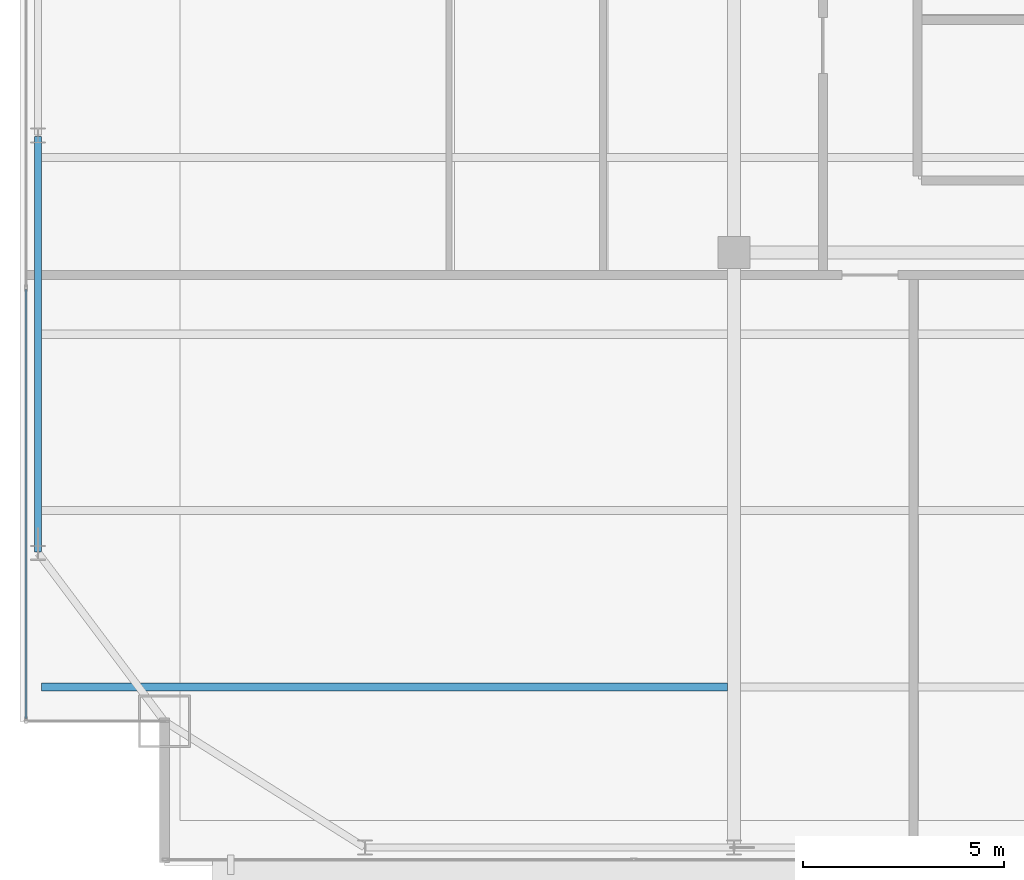
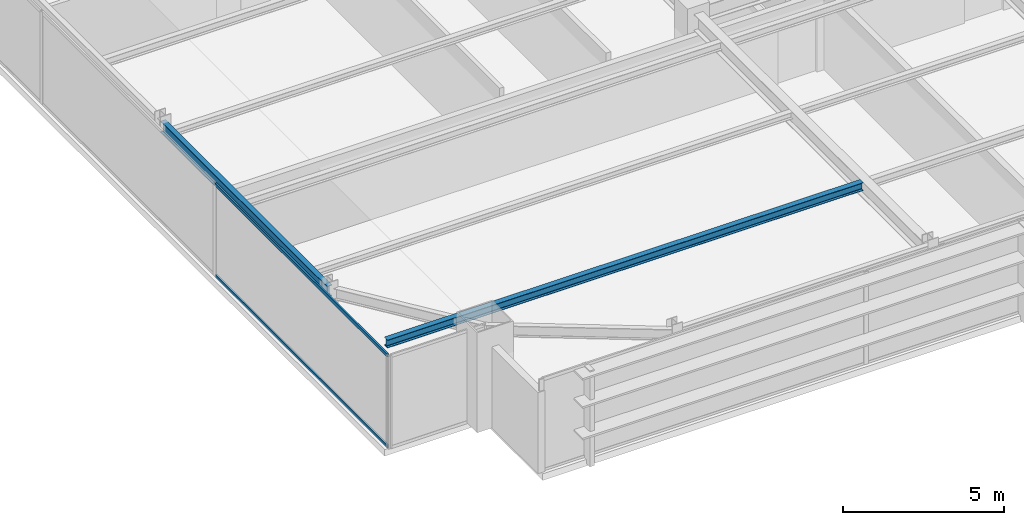
# One storey, part 6 of 29: 2 beams, 2 members, 1 element without a shape of its own.
"""IFC4 building model written with IfcOpenShell, lengths in metres."""

import ifcopenshell
import ifcopenshell.guid

model = None  # the IFC model being written
_history = None  # IfcOwnerHistory: only IFC2X3 demands one
_inside = {}  # id of a spatial element -> (the spatial element, [elements in it])
_under = {}  # id of a project, library or spatial element -> (it, [spatial elements below it])
_declared = {}  # id of a project -> (the project, [libraries it declares])
_typed = {}  # id of a type object -> (the type object, [elements of that type])
_made_of = {}  # id of a material, layer set ... -> (it, [elements and type objects made of it])


def new_model(schema):
    """Start an empty IFC model of exactly this schema.

    Asked for "IFC4X3", IfcOpenShell would pick the latest addendum, in which some entities
    have other attributes; the version numbers below select the first issue.
    IFC2X3 requires an IfcOwnerHistory on every rooted entity: one is made here for all.
    """
    global model, _history
    if schema == "IFC4X3":
        model = ifcopenshell.file(schema_version=(4, 3, 0, 0))
    else:
        model = ifcopenshell.file(schema=schema)
    _inside.clear()
    _under.clear()
    _declared.clear()
    _typed.clear()
    _made_of.clear()
    _history = None
    if model.schema == "IFC2X3":
        org = make("IfcOrganization", Name="unknown")
        user = make(
            "IfcPersonAndOrganization",
            ThePerson=make("IfcPerson", FamilyName="unknown"),
            TheOrganization=org,
        )
        app = make(
            "IfcApplication",
            ApplicationDeveloper=org,
            Version="unknown",
            ApplicationFullName="unknown",
            ApplicationIdentifier="unknown",
        )
        _history = make(
            "IfcOwnerHistory",
            OwningUser=user,
            OwningApplication=app,
            ChangeAction="ADDED",
            CreationDate=0,
        )
    return model


def make(cls, **values):
    """One entity of the class cls with the attributes given. An attribute that is None is left unset."""
    return model.create_entity(
        cls, **{name: value for name, value in values.items() if value is not None}
    )


def rooted(cls, **values):
    """An entity with a GlobalId (a new one), such as an element, a storey or a relation."""
    return make(cls, GlobalId=ifcopenshell.guid.new(), OwnerHistory=_history, **values)


def si_unit(unit_type, name, prefix=None):
    """IfcSIUnit, for example si_unit("LENGTHUNIT", "METRE", prefix="MILLI")."""
    return make("IfcSIUnit", UnitType=unit_type, Prefix=prefix, Name=name)


def assignment(units):
    """IfcUnitAssignment: the units of a project."""
    return None if units is None else make("IfcUnitAssignment", Units=units)


def point(xyz):
    """IfcCartesianPoint."""
    return None if xyz is None else make("IfcCartesianPoint", Coordinates=xyz)


def direction(xyz):
    """IfcDirection."""
    return None if xyz is None else make("IfcDirection", DirectionRatios=xyz)


def frame(location, z_axis=None, x_axis=None):
    """IfcAxis2Placement3D, a coordinate frame: its origin and axes. An axis left out is left unset."""
    return make(
        "IfcAxis2Placement3D",
        Location=point(location),
        Axis=direction(z_axis),
        RefDirection=direction(x_axis),
    )


def frame_2d(location, x_axis=None):
    """IfcAxis2Placement2D, a coordinate frame in the plane: its origin and x axis."""
    return make(
        "IfcAxis2Placement2D", Location=point(location), RefDirection=direction(x_axis)
    )


def origin():
    """The frame at (0, 0, 0) with its axes left unset."""
    return frame((0.0, 0.0, 0.0))


def origin_2d():
    """The frame at (0, 0) in the plane with its x axis left unset."""
    return frame_2d((0.0, 0.0))


def place(relative_to, where):
    """IfcLocalPlacement: puts the frame where relative to a parent placement (None: the world)."""
    return make(
        "IfcLocalPlacement", PlacementRelTo=relative_to, RelativePlacement=where
    )


def context(
    kind, dimensions, precision=None, world=None, true_north=None, identifier=None
):
    """IfcGeometricRepresentationContext, for example the 3D "Model" context."""
    return make(
        "IfcGeometricRepresentationContext",
        ContextIdentifier=identifier,
        ContextType=kind,
        CoordinateSpaceDimension=dimensions,
        Precision=precision,
        WorldCoordinateSystem=world,
        TrueNorth=true_north,
    )


def subcontext(parent, identifier, kind, view, scale=None):
    """IfcGeometricRepresentationSubContext, for example "Body" below "Model"."""
    return make(
        "IfcGeometricRepresentationSubContext",
        ContextIdentifier=identifier,
        ContextType=kind,
        ParentContext=parent,
        TargetScale=scale,
        TargetView=view,
    )


def project(units=None, contexts=None):
    """IfcProject with its units and contexts."""
    return rooted(
        "IfcProject",
        Name="project",
        RepresentationContexts=contexts,
        UnitsInContext=assignment(units),
    )


def spatial(cls, under=None, at=None, **own):
    """A site, building, storey or space (cls), placed at a placement, below another one or the project."""
    s = rooted(cls, ObjectPlacement=at, **own)
    if under is not None:
        _under.setdefault(under.id(), (under, []))[1].append(s)
    return s


def profile(cls, at=None, kind="AREA", **sizes):
    """A parametric profile (cls). Its sizes go by their IFC names, for example OverallWidth=200.0."""
    return make(cls, ProfileType=kind, Position=at, **sizes)


def hollow_rectangle(**sizes):
    """IfcRectangleHollowProfileDef."""
    return profile("IfcRectangleHollowProfileDef", **sizes)


def i_section(**sizes):
    """IfcIShapeProfileDef."""
    return profile("IfcIShapeProfileDef", **sizes)


def extrude(swept, where, along, depth):
    """IfcExtrudedAreaSolid: the profile swept, set in the frame where, extruded along a direction by depth."""
    return make(
        "IfcExtrudedAreaSolid",
        SweptArea=swept,
        Position=where,
        ExtrudedDirection=direction(along),
        Depth=depth,
    )


def shape(context_of_items, identifier, shape_type, items):
    """IfcShapeRepresentation: the items that make up one representation, for example the "Body"."""
    return make(
        "IfcShapeRepresentation",
        ContextOfItems=context_of_items,
        RepresentationIdentifier=identifier,
        RepresentationType=shape_type,
        Items=items,
    )


def source(mapping_origin, context_of_items, identifier, shape_type, items):
    """IfcRepresentationMap: a shape defined once, which mapped items show again and again."""
    return make(
        "IfcRepresentationMap",
        MappingOrigin=mapping_origin,
        MappedRepresentation=shape(context_of_items, identifier, shape_type, items),
    )


def transform(
    local_origin,
    x_axis=None,
    y_axis=None,
    z_axis=None,
    scale=None,
    scale2=None,
    scale3=None,
    uniform=True,
):
    """IfcCartesianTransformationOperator3D, or its non-uniform kind. x_axis, y_axis, z_axis: its Axis1, 2, 3."""
    if uniform:
        return make(
            "IfcCartesianTransformationOperator3D",
            Axis1=direction(x_axis),
            Axis2=direction(y_axis),
            LocalOrigin=point(local_origin),
            Scale=scale,
            Axis3=direction(z_axis),
        )
    return make(
        "IfcCartesianTransformationOperator3DnonUniform",
        Axis1=direction(x_axis),
        Axis2=direction(y_axis),
        LocalOrigin=point(local_origin),
        Scale=scale,
        Axis3=direction(z_axis),
        Scale2=scale2,
        Scale3=scale3,
    )


def mapped(mapping_source, mapping_target):
    """IfcMappedItem: shows the shape of a source again, moved by a transform."""
    return make(
        "IfcMappedItem", MappingSource=mapping_source, MappingTarget=mapping_target
    )


def material(Name=None, Category=None):
    """IfcMaterial."""
    return make("IfcMaterial", Name=Name, Category=Category)


def layer(
    of_material, thickness, ventilated=None, Name=None, Category=None, Priority=None
):
    """IfcMaterialLayer: one layer of a wall or slab, of a material (None: an air gap)."""
    return make(
        "IfcMaterialLayer",
        Material=of_material,
        LayerThickness=thickness,
        IsVentilated=ventilated,
        Name=Name,
        Category=Category,
        Priority=Priority,
    )


def layer_set(layers, Name=None):
    """IfcMaterialLayerSet."""
    return make("IfcMaterialLayerSet", MaterialLayers=layers, LayerSetName=Name)


def material_profile(
    of_material, cross_section, Name=None, Category=None, Priority=None
):
    """IfcMaterialProfile: a cross section and its material."""
    return make(
        "IfcMaterialProfile",
        Name=Name,
        Material=of_material,
        Profile=cross_section,
        Priority=Priority,
        Category=Category,
    )


def profile_set(profiles, Name=None, composite=None):
    """IfcMaterialProfileSet."""
    return make(
        "IfcMaterialProfileSet",
        Name=Name,
        MaterialProfiles=profiles,
        CompositeProfile=composite,
    )


def made_of(thing, what):
    """Note that an element or type object is made of a material, layer set ...; save() writes the relation."""
    if what is not None:
        _made_of.setdefault(what.id(), (what, []))[1].append(thing)
    return thing


def type_object(cls, material=None, **own):
    """A type object (cls), such as IfcWallType, which elements share."""
    return made_of(rooted(cls, **own), material)


def type_shapes(of_type, sources):
    """Give a type object the sources (RepresentationMaps) that its elements show as mapped items."""
    of_type.RepresentationMaps = sources


def element(
    cls,
    number,
    at=None,
    inside=None,
    cuts=None,
    type_object=None,
    material=None,
    context=None,
    identifier="Body",
    shape_type=None,
    held_by="IfcProductDefinitionShape",
    body=None,
    shapes=None,
    **own,
):
    """One element of the class cls, such as IfcWall. Its Tag is "e" and its number.

    at: its placement. inside: the storey or other place that contains it. cuts: it is an
    opening in that element (IfcRelVoidsElement). A single representation is given by context,
    identifier, shape_type and body (its items); several are given by shapes. held_by: the class
    of the entity that holds the representations. save() writes the other relations.
    """
    e = rooted(cls, Tag="e%d" % number, ObjectPlacement=at, **own)
    if body is not None:
        shapes = [shape(context, identifier, shape_type, body)]
    if shapes is not None:
        e.Representation = make(held_by, Representations=shapes)
    if inside is not None:
        _inside.setdefault(inside.id(), (inside, []))[1].append(e)
    if cuts is not None:
        rooted(
            "IfcRelVoidsElement", RelatingBuildingElement=cuts, RelatedOpeningElement=e
        )
    if type_object is not None:
        _typed.setdefault(type_object.id(), (type_object, []))[1].append(e)
    return made_of(e, material)


def aggregate(whole, parts):
    """IfcRelAggregates: a whole, such as a stair, and the parts it consists of."""
    return rooted("IfcRelAggregates", RelatingObject=whole, RelatedObjects=parts)


def save(model, path):
    """Write the relations noted so far, then the file.

    IfcRelAggregates (storeys below a building ...), IfcRelContainedInSpatialStructure (elements
    in a storey), IfcRelDefinesByType, IfcRelAssociatesMaterial and IfcRelDeclares: one each for
    every whole, place, type object, material and project.
    """
    for whole, parts in _under.values():
        aggregate(whole, parts)
    for where, things in _inside.values():
        rooted(
            "IfcRelContainedInSpatialStructure",
            RelatedElements=things,
            RelatingStructure=where,
        )
    for kind, things in _typed.values():
        rooted("IfcRelDefinesByType", RelatedObjects=things, RelatingType=kind)
    for what, things in _made_of.values():
        rooted("IfcRelAssociatesMaterial", RelatedObjects=things, RelatingMaterial=what)
    for by, libraries in _declared.values():
        rooted("IfcRelDeclares", RelatingContext=by, RelatedDefinitions=libraries)
    model.write(path)


model = new_model("IFC4")

# Units and contexts
model_context = context("Model", 3, precision=1e-05, world=origin(), true_north=direction((0.0, 1.0)))
body_context = subcontext(model_context, "Body", "Model", "MODEL_VIEW")
ifc_project = project(units=[si_unit("LENGTHUNIT", "METRE"), si_unit("AREAUNIT", "SQUARE_METRE"), si_unit("VOLUMEUNIT", "CUBIC_METRE"), si_unit("PLANEANGLEUNIT", "RADIAN"), si_unit("MASSUNIT", "GRAM", prefix="KILO")], contexts=[model_context])

# Site, building, storey
site_placement = place(None, origin())
site = spatial("IfcSite", under=ifc_project, at=site_placement, CompositionType="ELEMENT")
building_placement = place(site_placement, origin())
building = spatial("IfcBuilding", under=site, at=building_placement, Name="Varnel Quay Broadcast Tower", CompositionType="ELEMENT")
storey_placement = place(building_placement, frame((0.0, 0.0, 187.60009765625)))
storey = spatial("IfcBuildingStorey", under=building, at=storey_placement, Name="L46", CompositionType="ELEMENT", Elevation=187.60009765625)

# Beams
ifc_material_1 = material(Name="Structural Steel CSA G40.21 350W", Category="steel")
ifc_material_profile_1 = material_profile(ifc_material_1, i_section(OverallWidth=0.180908203125, OverallDepth=0.4169921875, WebThickness=0.010986328125, FlangeThickness=0.018310546875, FilletRadius=0.011962890625, at=origin_2d()), Name="W410X85")
ifc_profile_set_1 = profile_set([ifc_material_profile_1], Name="Structural Steel CSA G40.21 350W")
beam_type_1 = type_object("IfcBeamType", Name="Beam_W410X85", PredefinedType="SPANDREL", material=ifc_profile_set_1)
shared_shape_1 = source(origin(), body_context, "Body", "SweptSolid", [
    extrude(i_section(OverallWidth=0.180908203125, OverallDepth=0.4169921875, WebThickness=0.010986328125, FlangeThickness=0.018310546875, FilletRadius=0.011962890625, at=origin_2d()), origin(), (0.0, 0.0, 1.0), 10.35986328125),
])
type_shapes(beam_type_1, [shared_shape_1])
beam_1_placement = place(storey_placement, frame((7.449951171875, 15.02001953125, 3.3115234375), z_axis=(0.0, 1.0, 0.0), x_axis=(-1.0, 0.0, 0.0)))
element("IfcBeam", 1, at=beam_1_placement, inside=storey, type_object=beam_type_1, Name="L46 West Spandrel TC-W1-TC-W2", PredefinedType="SPANDREL", context=body_context, shape_type="MappedRepresentation", body=[
    mapped(shared_shape_1, transform((0.0, 0.0, 0.0), x_axis=(1.0, 0.0, 0.0), y_axis=(0.0, 1.0, 0.0), z_axis=(0.0, 0.0, 1.0), scale=1.0)),
])
ifc_material_profile_2 = material_profile(ifc_material_1, i_section(OverallWidth=0.202880859375, OverallDepth=0.302978515625, WebThickness=0.007568359375, FlangeThickness=0.01318359375, FilletRadius=0.011962890625, at=origin_2d()), Name="W310X60")
ifc_profile_set_2 = profile_set([ifc_material_profile_2], Name="Structural Steel CSA G40.21 350W")
beam_type_2 = type_object("IfcBeamType", Name="Beam_W310X60", PredefinedType="JOIST", material=ifc_profile_set_2)
shared_shape_2 = source(origin(), body_context, "Body", "SweptSolid", [
    extrude(i_section(OverallWidth=0.202880859375, OverallDepth=0.302978515625, WebThickness=0.007568359375, FlangeThickness=0.01318359375, FilletRadius=0.011962890625, at=origin_2d()), origin(), (0.0, 0.0, 1.0), 17.107177734375),
])
type_shapes(beam_type_2, [shared_shape_2])
beam_2_placement = place(storey_placement, frame((7.535400390625, 11.64990234375, 3.368408203125), z_axis=(1.0, 0.0, 0.0), x_axis=(0.0, 1.0, 0.0)))
element("IfcBeam", 2, at=beam_2_placement, inside=storey, type_object=beam_type_2, Name="L46 West Floor Joist 1", PredefinedType="JOIST", context=body_context, shape_type="MappedRepresentation", body=[
    mapped(shared_shape_2, transform((0.0, 0.0, 0.0), x_axis=(1.0, 0.0, 0.0), y_axis=(0.0, 1.0, 0.0), z_axis=(0.0, 0.0, 1.0), scale=1.0)),
])

# Curtain wall, members
ifc_material_2 = material(Name="Anodised Bronze Aluminium 6063-T6", Category="aluminium")
ifc_layer = layer(ifc_material_2, 0.18994140625, Name="Anodised Bronze Aluminium 6063-T6")
ifc_layer_set = layer_set([ifc_layer], Name="Anodised Bronze Aluminium 6063-T6")
curtain_wall_type = type_object("IfcCurtainWallType", Name="CW_UpperTower", PredefinedType="NOTDEFINED", material=ifc_layer_set)
curtain_wall_placement = place(storey_placement, origin())
curtain_wall = element("IfcCurtainWall", 3, at=curtain_wall_placement, inside=storey, type_object=curtain_wall_type, Name="L46 West Unitised Curtain Wall", PredefinedType="NOTDEFINED")
ifc_material_profile_3 = material_profile(ifc_material_2, hollow_rectangle(XDim=0.06005859375, YDim=0.125, WallThickness=0.0029296875, at=origin_2d()), Name="ALU60X125X3")
ifc_profile_set_3 = profile_set([ifc_material_profile_3], Name="Anodised Bronze Aluminium 6063-T6")
member_type = type_object("IfcMemberType", Name="Tran_CWS-03", PredefinedType="USERDEFINED", material=ifc_profile_set_3)
shared_shape_3 = source(origin(), body_context, "Body", "SweptSolid", [
    extrude(hollow_rectangle(XDim=0.06005859375, YDim=0.125, WallThickness=0.0029296875, at=origin_2d()), origin(), (0.0, 0.0, 1.0), 10.702392578125),
])
type_shapes(member_type, [shared_shape_3])
member_1_placement = place(storey_placement, frame((7.14990234375, 10.864990234375, 0.02978515625), z_axis=(0.0, 1.0, 0.0), x_axis=(-1.0, 0.0, 0.0)))
member_1 = element("IfcMember", 4, at=member_1_placement, type_object=member_type, Name="CWS-03 transom 1.1", ObjectType="TRANSOM", PredefinedType="USERDEFINED", context=body_context, shape_type="MappedRepresentation", body=[
    mapped(shared_shape_3, transform((0.0, 0.0, 0.0), x_axis=(1.0, 0.0, 0.0), y_axis=(0.0, 1.0, 0.0), z_axis=(0.0, 0.0, 1.0), scale=1.0)),
])
member_2_placement = place(storey_placement, frame((7.14990234375, 10.864990234375, 3.489990234375), z_axis=(0.0, 1.0, 0.0), x_axis=(-1.0, 0.0, 0.0)))
member_2 = element("IfcMember", 5, at=member_2_placement, type_object=member_type, Name="CWS-03 transom 1.2", ObjectType="TRANSOM", PredefinedType="USERDEFINED", context=body_context, shape_type="MappedRepresentation", body=[
    mapped(shared_shape_3, transform((0.0, 0.0, 0.0), x_axis=(1.0, 0.0, 0.0), y_axis=(0.0, 1.0, 0.0), z_axis=(0.0, 0.0, 1.0), scale=1.0)),
])
aggregate(curtain_wall, [member_1, member_2])

save(model, "model.ifc")
